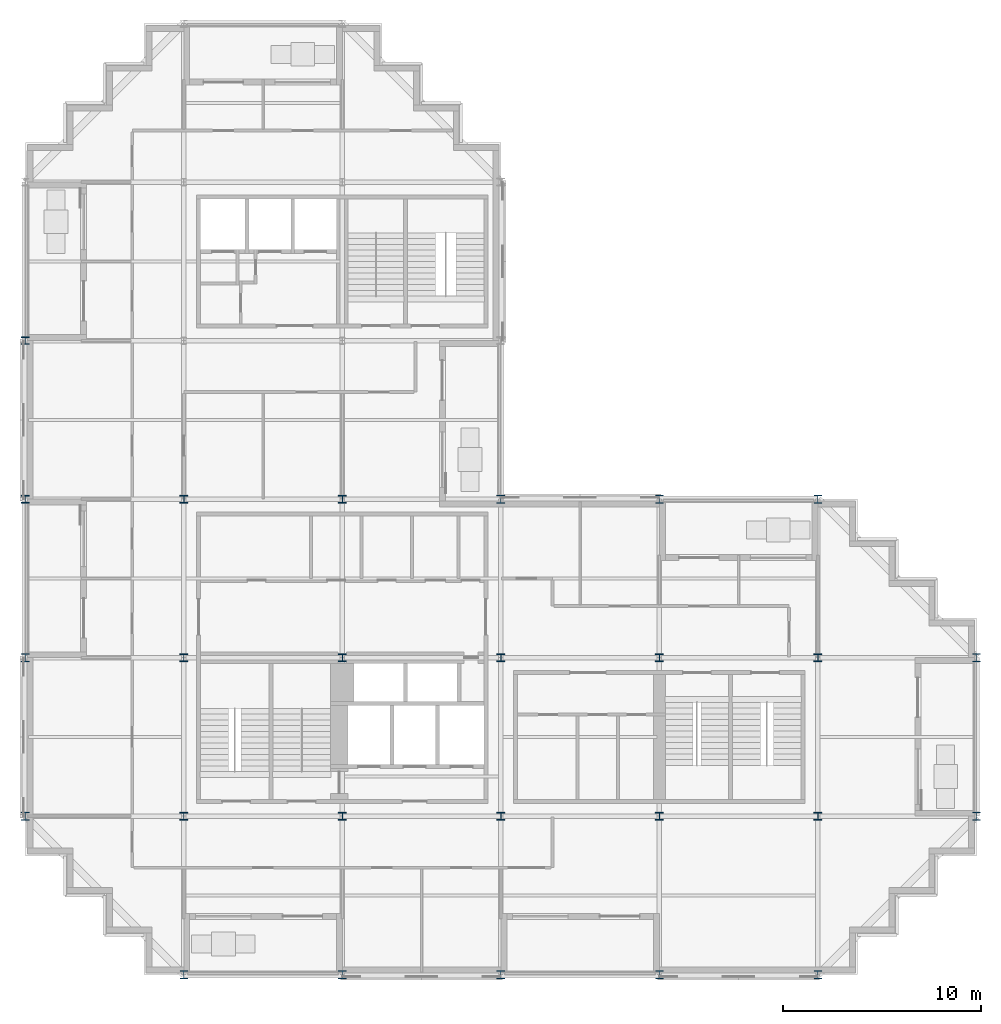
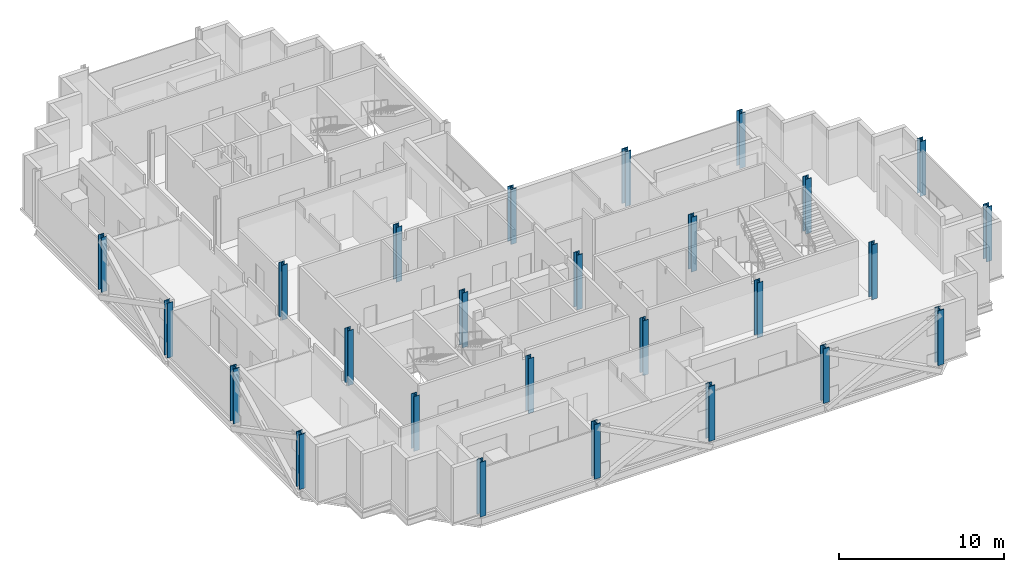
# One storey, part 1 of 13: 26 columns.
"""IFC4 building model written with IfcOpenShell, lengths in metres."""

from ifc_helpers import new_model, si_unit, direction, frame, origin, origin_2d, place, context, subcontext, project, spatial, i_section, extrude, material, material_profile, profile_set, type_object, element, save


model = new_model("IFC4")

# Units and contexts
model_context = context("Model", 3, precision=1e-05, world=origin(), true_north=direction((0.0, 1.0)))
body_context = subcontext(model_context, "Body", "Model", "MODEL_VIEW")
ifc_project = project(units=[si_unit("LENGTHUNIT", "METRE"), si_unit("AREAUNIT", "SQUARE_METRE"), si_unit("VOLUMEUNIT", "CUBIC_METRE"), si_unit("PLANEANGLEUNIT", "RADIAN"), si_unit("MASSUNIT", "GRAM", prefix="KILO")], contexts=[model_context])

# Site, building, storey
site_placement = place(None, origin())
site = spatial("IfcSite", under=ifc_project, at=site_placement, CompositionType="ELEMENT")
building_placement = place(site_placement, origin())
building = spatial("IfcBuilding", under=site, at=building_placement, Name="Immortelle Media Tower", CompositionType="ELEMENT")
storey_placement = place(building_placement, frame((0.0, 0.0, 174.60009765625)))
storey = spatial("IfcBuildingStorey", under=building, at=storey_placement, Name="L36", CompositionType="ELEMENT", Elevation=174.60009765625)

# Columns
ifc_material = material(Name="Steel ASTM A992 Gr 50", Category="steel")
ifc_material_profile_1 = material_profile(ifc_material, i_section(OverallWidth=0.39892578125, OverallDepth=0.385986328125, WebThickness=0.02099609375, FlangeThickness=0.032958984375, at=origin_2d()), Name="W14x176")
ifc_profile_set_1 = profile_set([ifc_material_profile_1], Name="Steel ASTM A992 Gr 50")
column_type_1 = type_object("IfcColumnType", Name="W14x176 column", PredefinedType="COLUMN", material=ifc_profile_set_1)
for number, where, z_axis, x_axis, name in (
    (1, (0.0, 24.0, 0.0), (0.0, 0.0, 1.0), (1.0, 0.0, 0.0), "Column 1/D"),
    (2, (0.0, 32.0, 0.0), (0.0, 0.0, 1.0), (1.0, 0.0, 0.0), "Column 1/E"),
    (3, (8.0, 8.0, 0.0), (0.0, 0.0, 1.0), (1.0, 0.0, 0.0), "Column 2/B"),
    (4, (8.0, 16.0, 0.0), (0.0, 0.0, 1.0), (1.0, 0.0, 0.0), "Column 2/C"),
    (5, (16.0, 8.0, 0.0), (0.0, 0.0, 1.0), (1.0, 0.0, 0.0), "Column 3/B"),
    (6, (16.0, 16.0, 0.0), (0.0, 0.0, 1.0), (1.0, 0.0, 0.0), "Column 3/C"),
    (7, (32.0, 8.0, 0.0), (0.0, 0.0, 1.0), (1.0, 0.0, 0.0), "Column 5/B"),
    (8, (32.0, 16.0, 0.0), (0.0, 0.0, 1.0), (1.0, 0.0, 0.0), "Column 5/C"),
    (9, (40.0, 8.0, 0.0), (0.0, 0.0, 1.0), (1.0, 0.0, 0.0), "Column 6/B"),
    (10, (40.0, 16.0, 0.0), (0.0, 0.0, 1.0), (1.0, 0.0, 0.0), "Column 6/C"),
):
    element("IfcColumn", number, at=place(storey_placement, frame(where, z_axis=z_axis, x_axis=x_axis)), inside=storey, type_object=column_type_1, Name=name, PredefinedType="COLUMN", context=body_context, shape_type="SweptSolid", body=[
        extrude(i_section(OverallWidth=0.39892578125, OverallDepth=0.385986328125, WebThickness=0.02099609375, FlangeThickness=0.032958984375, at=origin_2d()), origin(), (0.0, 0.0, 1.0), 4.0498046875),
    ])
ifc_material_profile_2 = material_profile(ifc_material, i_section(OverallWidth=0.40087890625, OverallDepth=0.39892578125, WebThickness=0.02490234375, FlangeThickness=0.0400390625, at=origin_2d()), Name="W14x211")
ifc_profile_set_2 = profile_set([ifc_material_profile_2], Name="Steel ASTM A992 Gr 50")
column_type_2 = type_object("IfcColumnType", Name="W14x211 column", PredefinedType="COLUMN", material=ifc_profile_set_2)
for number, where, z_axis, x_axis, name in (
    (11, (8.0, 24.0, 0.0), (0.0, 0.0, 1.0), (1.0, 0.0, 0.0), "Column 2/D"),
    (12, (16.0, 24.0, 0.0), (0.0, 0.0, 1.0), (1.0, 0.0, 0.0), "Column 3/D"),
    (13, (24.0, 8.0, 0.0), (0.0, 0.0, 1.0), (1.0, 0.0, 0.0), "Column 4/B"),
    (14, (24.0, 16.0, 0.0), (0.0, 0.0, 1.0), (1.0, 0.0, 0.0), "Column 4/C"),
):
    element("IfcColumn", number, at=place(storey_placement, frame(where, z_axis=z_axis, x_axis=x_axis)), inside=storey, type_object=column_type_2, Name=name, PredefinedType="COLUMN", context=body_context, shape_type="SweptSolid", body=[
        extrude(i_section(OverallWidth=0.40087890625, OverallDepth=0.39892578125, WebThickness=0.02490234375, FlangeThickness=0.0400390625, at=origin_2d()), origin(), (0.0, 0.0, 1.0), 4.0498046875),
    ])
ifc_material_profile_3 = material_profile(ifc_material, i_section(OverallWidth=0.406005859375, OverallDepth=0.4169921875, WebThickness=0.030029296875, FlangeThickness=0.048095703125, at=origin_2d()), Name="W14x257")
ifc_profile_set_3 = profile_set([ifc_material_profile_3], Name="Steel ASTM A992 Gr 50")
column_type_3 = type_object("IfcColumnType", Name="W14x257 column", PredefinedType="COLUMN", material=ifc_profile_set_3)
for number, where, z_axis, x_axis, name in (
    (15, (8.0, 0.0, 0.0), (0.0, 0.0, 1.0), (1.0, 0.0, 0.0), "Column 2/A"),
    (16, (40.0, 24.0, 0.0), (0.0, 0.0, 1.0), (1.0, 0.0, 0.0), "Column 6/D"),
    (17, (48.0, 8.0, 0.0), (0.0, 0.0, 1.0), (1.0, 0.0, 0.0), "Column 7/B"),
    (18, (48.0, 16.0, 0.0), (0.0, 0.0, 1.0), (1.0, 0.0, 0.0), "Column 7/C"),
):
    element("IfcColumn", number, at=place(storey_placement, frame(where, z_axis=z_axis, x_axis=x_axis)), inside=storey, type_object=column_type_3, Name=name, PredefinedType="COLUMN", context=body_context, shape_type="SweptSolid", body=[
        extrude(i_section(OverallWidth=0.406005859375, OverallDepth=0.4169921875, WebThickness=0.030029296875, FlangeThickness=0.048095703125, at=origin_2d()), origin(), (0.0, 0.0, 1.0), 4.0498046875),
    ])
ifc_material_profile_4 = material_profile(ifc_material, i_section(OverallWidth=0.410888671875, OverallDepth=0.43408203125, WebThickness=0.035888671875, FlangeThickness=0.056884765625, at=origin_2d()), Name="W14x311")
ifc_profile_set_4 = profile_set([ifc_material_profile_4], Name="Steel ASTM A992 Gr 50")
column_type_4 = type_object("IfcColumnType", Name="W14x311 column", PredefinedType="COLUMN", material=ifc_profile_set_4)
for number, where, z_axis, x_axis, name in (
    (19, (0.0, 8.0, 0.0), (0.0, 0.0, 1.0), (1.0, 0.0, 0.0), "Column 1/B"),
    (20, (0.0, 16.0, 0.0), (0.0, 0.0, 1.0), (1.0, 0.0, 0.0), "Column 1/C"),
    (21, (16.0, 0.0, 0.0), (0.0, 0.0, 1.0), (1.0, 0.0, 0.0), "Column 3/A"),
    (22, (24.0, 0.0, 0.0), (0.0, 0.0, 1.0), (1.0, 0.0, 0.0), "Column 4/A"),
    (23, (24.0, 24.0, 0.0), (0.0, 0.0, 1.0), (1.0, 0.0, 0.0), "Column 4/D"),
    (24, (32.0, 0.0, 0.0), (0.0, 0.0, 1.0), (1.0, 0.0, 0.0), "Column 5/A"),
    (25, (32.0, 24.0, 0.0), (0.0, 0.0, 1.0), (1.0, 0.0, 0.0), "Column 5/D"),
    (26, (40.0, 0.0, 0.0), (0.0, 0.0, 1.0), (1.0, 0.0, 0.0), "Column 6/A"),
):
    element("IfcColumn", number, at=place(storey_placement, frame(where, z_axis=z_axis, x_axis=x_axis)), inside=storey, type_object=column_type_4, Name=name, PredefinedType="COLUMN", context=body_context, shape_type="SweptSolid", body=[
        extrude(i_section(OverallWidth=0.410888671875, OverallDepth=0.43408203125, WebThickness=0.035888671875, FlangeThickness=0.056884765625, at=origin_2d()), origin(), (0.0, 0.0, 1.0), 4.0498046875),
    ])

save(model, "model.ifc")
